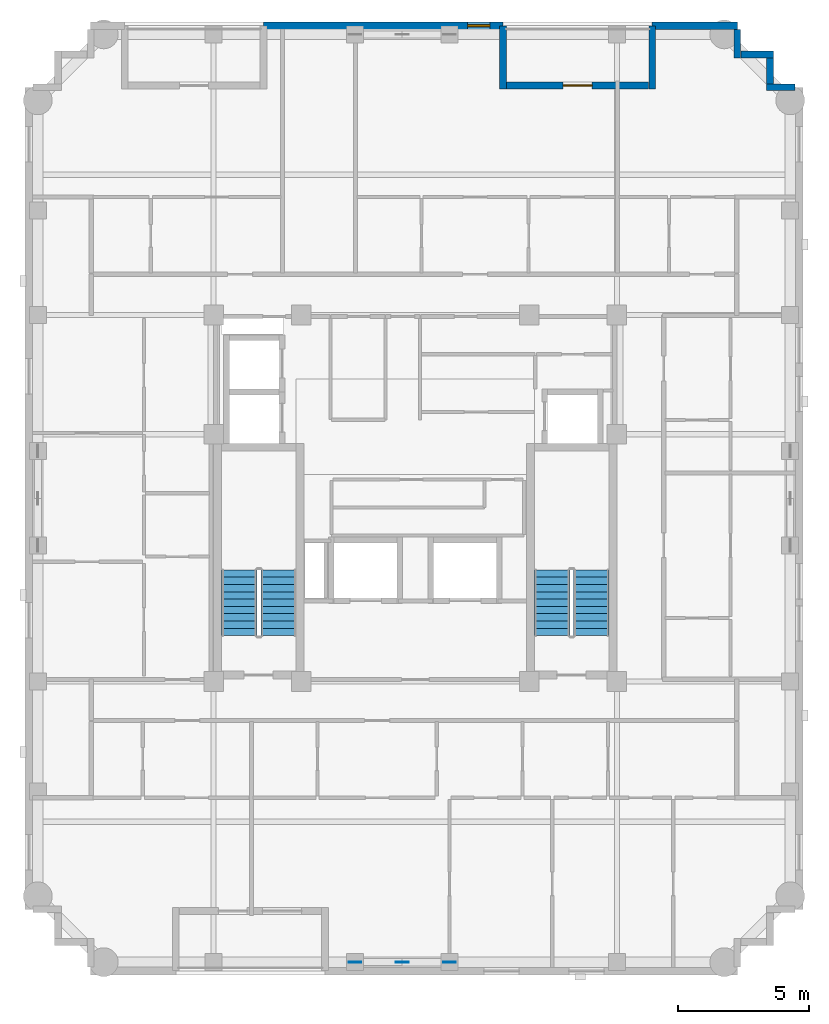
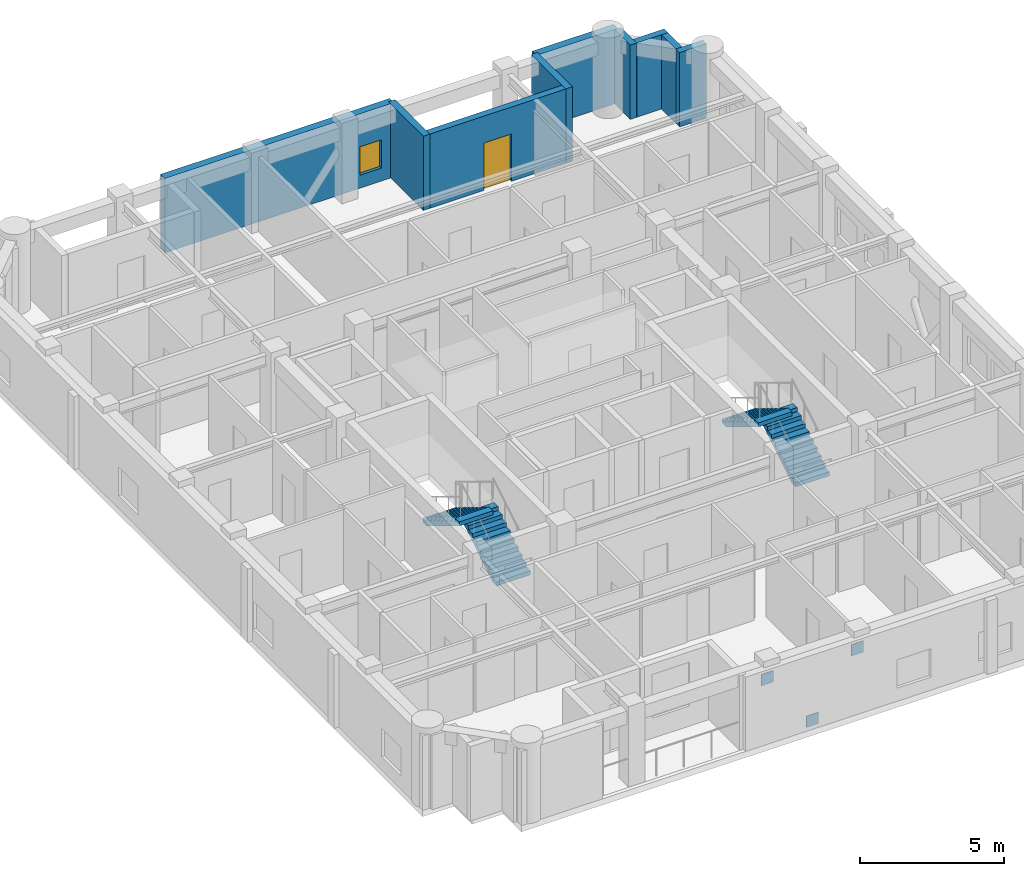
# One storey, part 7 of 10: 9 walls, 4 stair flights, 3 discrete accessories, 1 door, 1 window, 2 openings, 2 elements without a shape of their own.
"""IFC4 building model written with IfcOpenShell, lengths in metres."""

from ifc_helpers import new_model, si_unit, derived_unit, direction, frame, frame_2d, origin, origin_2d, place, context, subcontext, project, spatial, polyline, rectangle, outline, extrude, material, layer, layer_set, type_object, element, fill, aggregate, save


model = new_model("IFC4")

# Units and contexts
model_context = context("Model", 3, precision=1e-05, world=origin(), true_north=direction((0.0, 1.0)))
body_context = subcontext(model_context, "Body", "Model", "MODEL_VIEW")
ifc_project = project(units=[si_unit("LENGTHUNIT", "METRE"), si_unit("AREAUNIT", "SQUARE_METRE"), si_unit("VOLUMEUNIT", "CUBIC_METRE"), si_unit("PLANEANGLEUNIT", "RADIAN"), si_unit("MASSUNIT", "GRAM", prefix="KILO"), derived_unit("THERMALTRANSMITTANCEUNIT", [(si_unit("MASSUNIT", "GRAM", prefix="KILO"), 1), (si_unit("TIMEUNIT", "SECOND"), -3), (si_unit("THERMODYNAMICTEMPERATUREUNIT", "KELVIN"), -1)])], contexts=[model_context])

# Site, building, storey
site_placement = place(None, origin())
site = spatial("IfcSite", under=ifc_project, at=site_placement, CompositionType="ELEMENT")
building_placement = place(site_placement, origin())
building = spatial("IfcBuilding", under=site, at=building_placement, Name="Korrvale Station Residences", CompositionType="ELEMENT")
storey_placement = place(building_placement, frame((0.0, 0.0, 217.300048828125)))
storey = spatial("IfcBuildingStorey", under=building, at=storey_placement, Name="L63", CompositionType="ELEMENT", Elevation=217.300048828125)

# Wall
ifc_material_1 = material(Name="Precast concrete C45/55", Category="concrete")
ifc_layer_1 = layer(ifc_material_1, 0.260009765625, Name="Precast concrete C45/55")
ifc_layer_set_1 = layer_set([ifc_layer_1], Name="Precast concrete C45/55")
wall_type_1 = type_object("IfcWallType", Name="WAL-EXT-LOG260", PredefinedType="SOLIDWALL", material=ifc_layer_set_1)
wall_1_placement = place(storey_placement, frame((28.85009765625, 40.0400390625, 0.0), z_axis=(0.0, 0.0, 1.0), x_axis=(0.0, -1.0, 0.0)))
element("IfcWall", 1, at=wall_1_placement, inside=storey, type_object=wall_type_1, Name="L63 Recessed Loggia Wall BAL-L63-N1-L", PredefinedType="SOLIDWALL", context=body_context, shape_type="SweptSolid", body=[
    extrude(rectangle(XDim=2.400146484375, YDim=0.260009765625, at=frame_2d((1.2001953125, 0.0))), origin(), (0.0, 0.0, 1.0), 3.139892578125),
])

# Wall, opening, door
wall_2_placement = place(storey_placement, frame((28.98388671875, 37.77001953125, 0.0), z_axis=(0.0, 0.0, 1.0), x_axis=(1.0, 0.0, 0.0)))
wall_2 = element("IfcWall", 2, at=wall_2_placement, inside=storey, type_object=wall_type_1, Name="L63 Recessed Loggia Wall BAL-L63-N1-B", PredefinedType="SOLIDWALL", context=body_context, shape_type="SweptSolid", body=[
    extrude(rectangle(XDim=5.43212890625, YDim=0.260009765625, at=frame_2d((2.716064453125, 0.0))), origin(), (0.0, 0.0, 1.0), 3.139892578125),
])
opening_1_placement = place(wall_2_placement, frame((2.166015625, 0.0, 0.0)))
opening_1 = element("IfcOpeningElement", 3, at=opening_1_placement, cuts=wall_2, Name="Opening BD-01", PredefinedType="OPENING", context=body_context, shape_type="SweptSolid", body=[
    extrude(rectangle(XDim=1.10009765625, YDim=2.0, at=frame_2d((0.550048828125, 1.0))), frame((0.0, 0.14013671875, 0.0), z_axis=(0.0, -1.0, 0.0), x_axis=(1.0, 0.0, 0.0)), (0.0, 0.0, 1.0), 0.280029296875),
])
ifc_material_2 = material(Name="Exterior thermally broken aluminium glazed balcony door", Category="aluminium")
door_type = type_object("IfcDoorType", Name="DR-EXT-BAL", OperationType="NOTDEFINED", PredefinedType="DOOR", material=ifc_material_2)
door_placement = place(opening_1_placement, origin())
door = element("IfcDoor", 4, at=door_placement, inside=storey, type_object=door_type, Name="L63 Loggia Balcony Door BAL-L63-N1", OperationType="SINGLE_SWING_RIGHT", OverallHeight=2.0, OverallWidth=1.10009765625, PredefinedType="DOOR", context=body_context, shape_type="SweptSolid", body=[
    extrude(rectangle(XDim=1.10009765625, YDim=2.0, at=frame_2d((0.550048828125, 1.0))), frame((0.0, 0.02490234375, 0.0), z_axis=(0.0, -1.0, 0.0), x_axis=(1.0, 0.0, 0.0)), (0.0, 0.0, 1.0), 0.050048828125),
])
fill(opening_1, door)

# Walls
wall_3_placement = place(storey_placement, frame((34.550048828125, 37.639892578125, 0.0), z_axis=(0.0, 0.0, 1.0), x_axis=(0.0, 1.0, 0.0)))
element("IfcWall", 5, at=wall_3_placement, inside=storey, type_object=wall_type_1, Name="L63 Recessed Loggia Wall BAL-L63-N1-R", PredefinedType="SOLIDWALL", context=body_context, shape_type="SweptSolid", body=[
    extrude(rectangle(XDim=2.400146484375, YDim=0.260009765625, at=frame_2d((1.2001953125, 0.0))), origin(), (0.0, 0.0, 1.0), 3.139892578125),
])
wall_4_placement = place(storey_placement, frame((37.800048828125, 39.89794921875, 0.0), z_axis=(0.0, 0.0, 1.0), x_axis=(0.0, -1.0, 0.0)))
element("IfcWall", 6, at=wall_4_placement, inside=storey, type_object=wall_type_1, Name="L63 Serrated Corner Precast Step NE-1", PredefinedType="SOLIDWALL", context=body_context, shape_type="SweptSolid", body=[
    extrude(rectangle(XDim=1.077880859375, YDim=0.260009765625, at=frame_2d((0.5390625, 0.0))), origin(), (0.0, 0.0, 1.0), 3.139892578125),
])
wall_5_placement = place(storey_placement, frame((37.931884765625, 38.949951171875, 0.0), z_axis=(0.0, 0.0, 1.0), x_axis=(1.0, 0.0, 0.0)))
element("IfcWall", 7, at=wall_5_placement, inside=storey, type_object=wall_type_1, Name="L63 Serrated Corner Precast Step NE-2", PredefinedType="SOLIDWALL", context=body_context, shape_type="SweptSolid", body=[
    extrude(rectangle(XDim=1.248046875, YDim=0.260009765625, at=frame_2d((0.6240234375, 0.0))), origin(), (0.0, 0.0, 1.0), 3.139892578125),
])
wall_6_placement = place(storey_placement, frame((39.050048828125, 38.818115234375, 0.0), z_axis=(0.0, 0.0, 1.0), x_axis=(0.0, -1.0, 0.0)))
element("IfcWall", 8, at=wall_6_placement, inside=storey, type_object=wall_type_1, Name="L63 Serrated Corner Precast Step NE-3", PredefinedType="SOLIDWALL", context=body_context, shape_type="SweptSolid", body=[
    extrude(rectangle(XDim=0.986083984375, YDim=0.260009765625, at=frame_2d((0.4931640625, 0.0))), origin(), (0.0, 0.0, 1.0), 3.139892578125),
])
wall_7_placement = place(storey_placement, frame((38.919921875, 37.699951171875, 0.0), z_axis=(0.0, 0.0, 1.0), x_axis=(1.0, 0.0, 0.0)))
element("IfcWall", 9, at=wall_7_placement, inside=storey, type_object=wall_type_1, Name="L63 Serrated Corner Precast Step NE-4", PredefinedType="SOLIDWALL", context=body_context, shape_type="SweptSolid", body=[
    extrude(rectangle(XDim=1.078125, YDim=0.260009765625, at=frame_2d((0.5390625, 0.0))), origin(), (0.0, 0.0, 1.0), 3.139892578125),
])

# Wall, opening, window
ifc_layer_2 = layer(ifc_material_1, 0.300048828125, Name="Precast concrete C45/55")
ifc_layer_set_2 = layer_set([ifc_layer_2], Name="Precast concrete C45/55")
wall_type_2 = type_object("IfcWallType", Name="WAL-EXT-PC300", PredefinedType="SOLIDWALL", material=ifc_layer_set_2)
wall_8_placement = place(storey_placement, frame((19.699951171875, 40.050048828125, 0.0), z_axis=(0.0, 0.0, 1.0), x_axis=(1.0, 0.0, 0.0)))
wall_8 = element("IfcWall", 10, at=wall_8_placement, inside=storey, type_object=wall_type_2, Name="L63 North Exterior Precast Wall 2", PredefinedType="SOLIDWALL", context=body_context, shape_type="SweptSolid", body=[
    extrude(rectangle(XDim=9.150146484375, YDim=0.300048828125, at=frame_2d((4.5751953125, 0.0))), origin(), (0.0, 0.0, 1.0), 3.139892578125),
])
opening_2_placement = place(wall_8_placement, frame((7.800048828125, 0.0, 0.550048828125)))
opening_2 = element("IfcOpeningElement", 11, at=opening_2_placement, cuts=wall_8, Name="Opening W-11", PredefinedType="OPENING", context=body_context, shape_type="SweptSolid", body=[
    extrude(rectangle(XDim=0.85009765625, YDim=1.199951171875, at=frame_2d((0.425048828125, 0.60009765625))), frame((0.0, 0.16015625, 0.0), z_axis=(0.0, -1.0, 0.0), x_axis=(1.0, 0.0, 0.0)), (0.0, 0.0, 1.0), 0.320068359375),
])
ifc_material_3 = material(Name="Thermally broken aluminium frame with triple low-e glazing", Category="aluminium")
window_type = type_object("IfcWindowType", Name="WIN-W11", PartitioningType="SINGLE_PANEL", PredefinedType="WINDOW", material=ifc_material_3)
window_placement = place(opening_2_placement, origin())
window = element("IfcWindow", 12, at=window_placement, inside=storey, type_object=window_type, Name="L63 Punched Window 07", OverallHeight=1.199951171875, OverallWidth=0.85009765625, PartitioningType="SINGLE_PANEL", PredefinedType="WINDOW", context=body_context, shape_type="SweptSolid", body=[
    extrude(rectangle(XDim=0.85009765625, YDim=1.199951171875, at=frame_2d((0.425048828125, 0.60009765625))), frame((0.0, 0.030029296875, 0.0), z_axis=(0.0, -1.0, 0.0), x_axis=(1.0, 0.0, 0.0)), (0.0, 0.0, 1.0), 0.06005859375),
])
fill(opening_2, window)

# Wall
wall_9_placement = place(storey_placement, frame((34.550048828125, 40.050048828125, 0.0), z_axis=(0.0, 0.0, 1.0), x_axis=(1.0, 0.0, 0.0)))
element("IfcWall", 13, at=wall_9_placement, inside=storey, type_object=wall_type_2, Name="L63 North Exterior Precast Wall 3", PredefinedType="SOLIDWALL", context=body_context, shape_type="SweptSolid", body=[
    extrude(rectangle(XDim=3.25, YDim=0.300048828125, at=frame_2d((1.625, 0.0))), origin(), (0.0, 0.0, 1.0), 3.139892578125),
])

# Stair, stair flights
ifc_material_4 = material(Name="Concrete C50/60", Category="concrete")
stair_type = type_object("IfcStairType", Name="STR-DL-1350-20R-1700", PredefinedType="HALF_TURN_STAIR", material=ifc_material_4)
stair_1_placement = place(storey_placement, origin())
stair_1 = element("IfcStair", 14, at=stair_1_placement, inside=storey, type_object=stair_type, Name="L63 Exit Stair 1", PredefinedType="HALF_TURN_STAIR")
stair_flight_type = type_object("IfcStairFlightType", Name="FLT-DL-1350-20R-1700", PredefinedType="STRAIGHT", material=ifc_material_4)
stair_flight_1_placement = place(storey_placement, frame((20.27490234375, 16.75, 0.0), z_axis=(0.0, 0.0, 1.0), x_axis=(0.0, 1.0, 0.0)))
stair_flight_1 = element("IfcStairFlight", 15, at=stair_flight_1_placement, type_object=stair_flight_type, Name="ST-1 flight 1", NumberOfRisers=10, NumberOfTreads=9, PredefinedType="STRAIGHT", RiserHeight=0.17, TreadLength=0.28, context=body_context, shape_type="SweptSolid", body=[
    extrude(outline(polyline([(0.0, 0.0), (0.0, 0.169921875), (0.280029296875, 0.169921875), (0.280029296875, 0.340087890625), (0.56005859375, 0.340087890625), (0.56005859375, 0.510009765625), (0.840087890625, 0.510009765625), (0.840087890625, 0.679931640625), (1.1201171875, 0.679931640625), (1.1201171875, 0.85009765625), (1.39990234375, 0.85009765625), (1.39990234375, 1.02001953125), (1.679931640625, 1.02001953125), (1.679931640625, 1.18994140625), (1.9599609375, 1.18994140625), (1.9599609375, 1.360107421875), (2.239990234375, 1.360107421875), (2.239990234375, 1.530029296875), (2.52001953125, 1.530029296875), (2.52001953125, 1.699951171875), (2.52001953125, 1.354736328125), (0.288818359375, 0.0), (0.0, 0.0)])), frame((0.0, 0.675048828125, 0.0), z_axis=(0.0, -1.0, 0.0), x_axis=(1.0, 0.0, 0.0)), (0.0, 0.0, 1.0), 1.35009765625),
])
stair_flight_2_placement = place(storey_placement, frame((18.77490234375, 19.27001953125, 1.699951171875), z_axis=(0.0, 0.0, 1.0), x_axis=(0.0, -1.0, 0.0)))
stair_flight_2 = element("IfcStairFlight", 16, at=stair_flight_2_placement, type_object=stair_flight_type, Name="ST-1 flight 2", NumberOfRisers=10, NumberOfTreads=9, PredefinedType="STRAIGHT", RiserHeight=0.17, TreadLength=0.28, context=body_context, shape_type="SweptSolid", body=[
    extrude(outline(polyline([(0.0, 0.0), (0.0, 0.169921875), (0.280029296875, 0.169921875), (0.280029296875, 0.340087890625), (0.56005859375, 0.340087890625), (0.56005859375, 0.510009765625), (0.840087890625, 0.510009765625), (0.840087890625, 0.679931640625), (1.1201171875, 0.679931640625), (1.1201171875, 0.85009765625), (1.39990234375, 0.85009765625), (1.39990234375, 1.02001953125), (1.679931640625, 1.02001953125), (1.679931640625, 1.18994140625), (1.9599609375, 1.18994140625), (1.9599609375, 1.360107421875), (2.239990234375, 1.360107421875), (2.239990234375, 1.530029296875), (2.52001953125, 1.530029296875), (2.52001953125, 1.699951171875), (2.52001953125, 1.354736328125), (0.288818359375, 0.0), (0.0, 0.0)])), frame((0.0, 0.675048828125, 0.0), z_axis=(0.0, -1.0, 0.0), x_axis=(1.0, 0.0, 0.0)), (0.0, 0.0, 1.0), 1.35009765625),
])
aggregate(stair_1, [stair_flight_1, stair_flight_2])

stair_2_placement = place(storey_placement, origin())
stair_2 = element("IfcStair", 17, at=stair_2_placement, inside=storey, type_object=stair_type, Name="L63 Exit Stair 2", PredefinedType="HALF_TURN_STAIR")
stair_flight_3_placement = place(storey_placement, frame((32.22509765625, 16.75, 0.0), z_axis=(0.0, 0.0, 1.0), x_axis=(0.0, 1.0, 0.0)))
stair_flight_3 = element("IfcStairFlight", 18, at=stair_flight_3_placement, type_object=stair_flight_type, Name="ST-2 flight 1", NumberOfRisers=10, NumberOfTreads=9, PredefinedType="STRAIGHT", RiserHeight=0.17, TreadLength=0.28, context=body_context, shape_type="SweptSolid", body=[
    extrude(outline(polyline([(0.0, 0.0), (0.0, 0.169921875), (0.280029296875, 0.169921875), (0.280029296875, 0.340087890625), (0.56005859375, 0.340087890625), (0.56005859375, 0.510009765625), (0.840087890625, 0.510009765625), (0.840087890625, 0.679931640625), (1.1201171875, 0.679931640625), (1.1201171875, 0.85009765625), (1.39990234375, 0.85009765625), (1.39990234375, 1.02001953125), (1.679931640625, 1.02001953125), (1.679931640625, 1.18994140625), (1.9599609375, 1.18994140625), (1.9599609375, 1.360107421875), (2.239990234375, 1.360107421875), (2.239990234375, 1.530029296875), (2.52001953125, 1.530029296875), (2.52001953125, 1.699951171875), (2.52001953125, 1.354736328125), (0.288818359375, 0.0), (0.0, 0.0)])), frame((0.0, 0.675048828125, 0.0), z_axis=(0.0, -1.0, 0.0), x_axis=(1.0, 0.0, 0.0)), (0.0, 0.0, 1.0), 1.35009765625),
])
stair_flight_4_placement = place(storey_placement, frame((30.72509765625, 19.27001953125, 1.699951171875), z_axis=(0.0, 0.0, 1.0), x_axis=(0.0, -1.0, 0.0)))
stair_flight_4 = element("IfcStairFlight", 19, at=stair_flight_4_placement, type_object=stair_flight_type, Name="ST-2 flight 2", NumberOfRisers=10, NumberOfTreads=9, PredefinedType="STRAIGHT", RiserHeight=0.17, TreadLength=0.28, context=body_context, shape_type="SweptSolid", body=[
    extrude(outline(polyline([(0.0, 0.0), (0.0, 0.169921875), (0.280029296875, 0.169921875), (0.280029296875, 0.340087890625), (0.56005859375, 0.340087890625), (0.56005859375, 0.510009765625), (0.840087890625, 0.510009765625), (0.840087890625, 0.679931640625), (1.1201171875, 0.679931640625), (1.1201171875, 0.85009765625), (1.39990234375, 0.85009765625), (1.39990234375, 1.02001953125), (1.679931640625, 1.02001953125), (1.679931640625, 1.18994140625), (1.9599609375, 1.18994140625), (1.9599609375, 1.360107421875), (2.239990234375, 1.360107421875), (2.239990234375, 1.530029296875), (2.52001953125, 1.530029296875), (2.52001953125, 1.699951171875), (2.52001953125, 1.354736328125), (0.288818359375, 0.0), (0.0, 0.0)])), frame((0.0, 0.675048828125, 0.0), z_axis=(0.0, -1.0, 0.0), x_axis=(1.0, 0.0, 0.0)), (0.0, 0.0, 1.0), 1.35009765625),
])
aggregate(stair_2, [stair_flight_3, stair_flight_4])

# Discrete accessories
ifc_material_5 = material(Name="Steel S355", Category="steel")
ifc_layer_3 = layer(ifc_material_5, 0.02490234375, Name="Steel S355")
ifc_layer_set_3 = layer_set([ifc_layer_3], Name="Steel S355")
discrete_accessory_type = type_object("IfcDiscreteAccessoryType", Name="ACC-GUSSET-25", PredefinedType="BRACKET", material=ifc_layer_set_3)
for number, where, z_axis, x_axis, name in (
    (20, (25.0, 4.280029296875, -0.219970703125), (0.0, 0.0, 1.0), (1.0, 0.0, 0.0), "L63 S Brace End Gusset Connection M"),
    (21, (23.199951171875, 4.280029296875, 2.169921875), (0.0, 0.0, 1.0), (1.0, 0.0, 0.0), "L63 S Brace End Gusset Connection A"),
    (22, (26.800048828125, 4.280029296875, 2.169921875), (0.0, 0.0, 1.0), (1.0, 0.0, 0.0), "L63 S Brace End Gusset Connection B"),
):
    element("IfcDiscreteAccessory", number, at=place(storey_placement, frame(where, z_axis=z_axis, x_axis=x_axis)), inside=storey, type_object=discrete_accessory_type, Name=name, PredefinedType="BRACKET", context=body_context, shape_type="SweptSolid", body=[
        extrude(rectangle(XDim=0.47998046875, YDim=0.02490234375, at=origin_2d()), origin(), (0.0, 0.0, 1.0), 0.47998046875),
    ])

save(model, "model.ifc")
